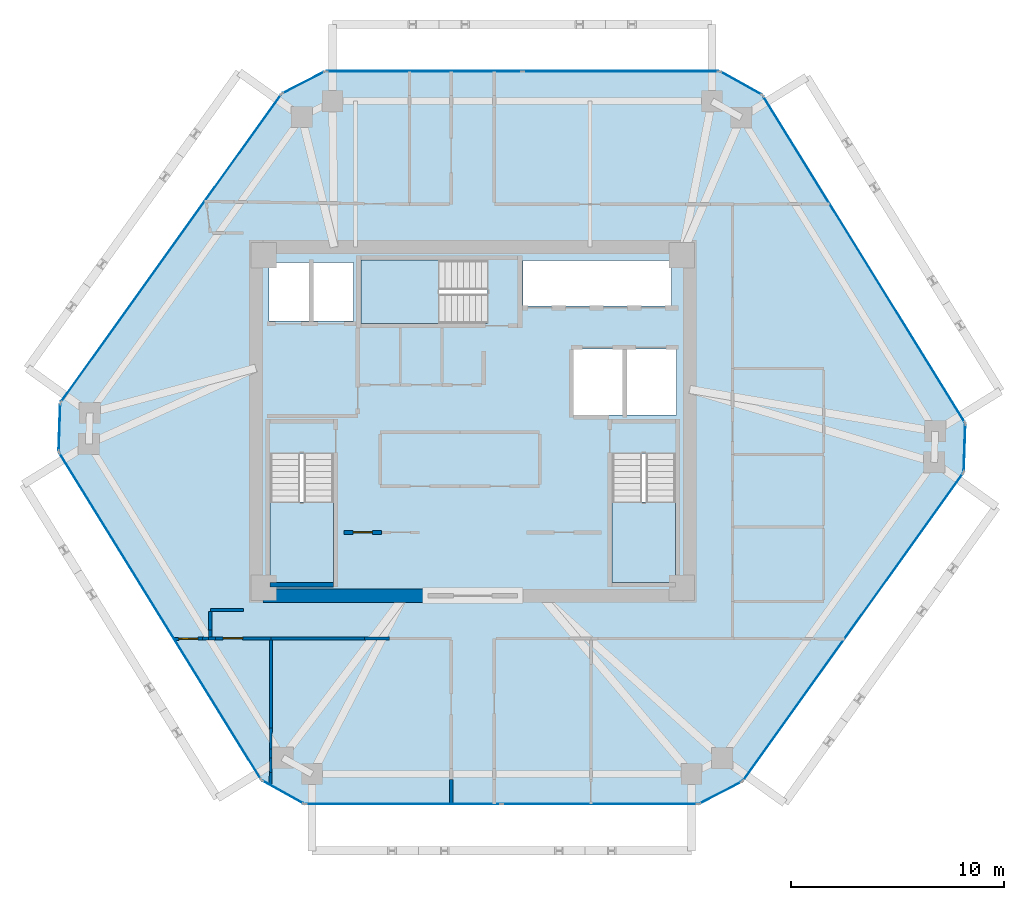
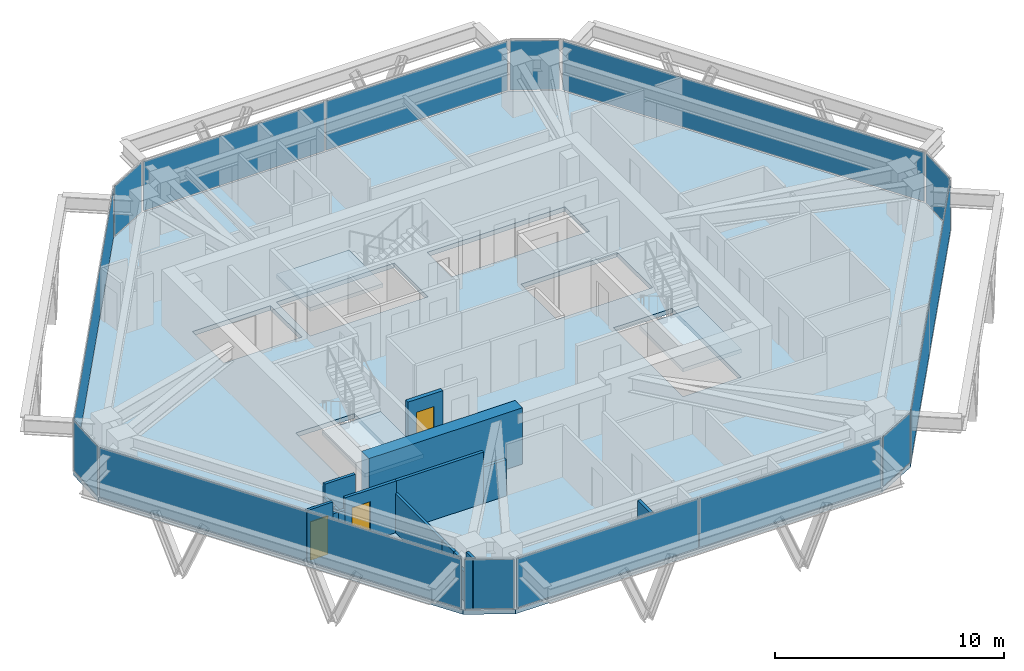
# One storey, part 7 of 12: 18 walls, 14 plates, 4 slabs, 3 doors, 3 openings, 15 elements without a shape of their own.
"""IFC4 building model written with IfcOpenShell, lengths in metres."""

from ifc_helpers import new_model, si_unit, direction, frame, frame_2d, origin, origin_2d, place, context, subcontext, project, spatial, polyline, rectangle, outline, extrude, source, transform, mapped, material, layer, layer_set, type_object, type_shapes, element, fill, aggregate, save


model = new_model("IFC4")

# Units and contexts
model_context = context("Model", 3, precision=1e-05, world=origin(), true_north=direction((0.0, 1.0)))
body_context = subcontext(model_context, "Body", "Model", "MODEL_VIEW")
ifc_project = project(units=[si_unit("LENGTHUNIT", "METRE"), si_unit("AREAUNIT", "SQUARE_METRE"), si_unit("VOLUMEUNIT", "CUBIC_METRE"), si_unit("PLANEANGLEUNIT", "RADIAN"), si_unit("MASSUNIT", "GRAM", prefix="KILO")], contexts=[model_context])

# Site, building, storey
site_placement = place(None, origin())
site = spatial("IfcSite", under=ifc_project, at=site_placement, CompositionType="ELEMENT")
building_placement = place(site_placement, origin())
building = spatial("IfcBuilding", under=site, at=building_placement, Name="Durnholm Broadcast Tower", CompositionType="ELEMENT")
storey_placement = place(building_placement, frame((0.0, 0.0, 203.199951171875)))
storey = spatial("IfcBuildingStorey", under=building, at=storey_placement, Name="L56", CompositionType="ELEMENT", Elevation=203.199951171875)

# Slab
ifc_material_1 = material(Name="Concrete C50/60", Category="concrete")
ifc_layer_1 = layer(ifc_material_1, 0.239990234375)
ifc_layer_set_1 = layer_set([ifc_layer_1], Name="Concrete C50/60")
slab_type_1 = type_object("IfcSlabType", Name="SLAB-FLR-240", PredefinedType="FLOOR", material=ifc_layer_set_1)
slab_1_placement = place(storey_placement, frame((0.0, 0.0, -0.239990234375)))
element("IfcSlab", 1, at=slab_1_placement, inside=storey, type_object=slab_type_1, Name="L56 structural floor slab", PredefinedType="FLOOR", context=body_context, shape_type="SweptSolid", body=[
    extrude(outline(polyline([(-9.912353515625, -16.822021484375), (-7.9033203125, -17.94189453125), (10.59521484375, -17.94189453125), (12.64111328125, -16.890625), (23.022705078125, -2.390380859375), (23.1005859375, -0.091552734375), (13.59033203125, 15.2978515625), (11.581298828125, 16.41796875), (-6.917236328125, 16.41796875), (-8.962890625, 15.36669921875), (-19.3447265625, 0.8662109375), (-19.422607421875, -1.432373046875), (-9.912353515625, -16.822021484375)]), holes=[polyline([(-6.5400390625, -1.5), (-9.5, -1.5), (-9.5, -7.550048828125), (-6.5400390625, -7.550048828125), (-6.5400390625, -1.5)]), polyline([(9.5, -7.550048828125), (9.5, -1.5), (6.5400390625, -1.5), (6.5400390625, -7.550048828125), (9.5, -7.550048828125)]), polyline([(9.550048828125, 3.39990234375), (4.699951171875, 3.39990234375), (4.699951171875, 0.300048828125), (9.550048828125, 0.300048828125), (9.550048828125, 3.39990234375)]), polyline([(-9.550048828125, 7.449951171875), (-9.550048828125, 4.699951171875), (-5.60009765625, 4.699951171875), (-5.60009765625, 7.449951171875), (-9.550048828125, 7.449951171875)]), polyline([(-5.25, 4.60009765625), (0.699951171875, 4.60009765625), (0.699951171875, 7.56005859375), (-5.25, 7.56005859375), (-5.25, 4.60009765625)]), polyline([(9.31005859375, 7.550048828125), (2.35009765625, 7.550048828125), (2.35009765625, 5.39990234375), (9.31005859375, 5.39990234375), (9.31005859375, 7.550048828125)])]), origin(), (0.0, 0.0, 1.0), 0.239990234375),
])

# Stair, slab
stair_type = type_object("IfcStairType", Name="STAIR-DL-18R1667", PredefinedType="HALF_TURN_STAIR", material=ifc_material_1)
stair_1_placement = place(storey_placement, origin())
stair_1 = element("IfcStair", 2, at=stair_1_placement, inside=storey, type_object=stair_type, Name="L56 ST-1", PredefinedType="HALF_TURN_STAIR")
ifc_layer_2 = layer(ifc_material_1, 0.199951171875)
ifc_layer_set_2 = layer_set([ifc_layer_2], Name="Concrete C50/60")
slab_type_2 = type_object("IfcSlabType", Name="SLAB-LND-200", PredefinedType="LANDING", material=ifc_layer_set_2)
slab_2_placement = place(storey_placement, frame((0.0, 0.0, 1.300048828125)))
slab_2 = element("IfcSlab", 3, at=slab_2_placement, type_object=slab_type_2, Name="ST-1 landing 1", PredefinedType="LANDING", context=body_context, shape_type="SweptSolid", body=[
    extrude(outline(polyline([(-9.5, -3.780029296875), (-9.5, -7.550048828125), (-6.5400390625, -7.550048828125), (-6.5400390625, -3.780029296875), (-9.5, -3.780029296875)])), origin(), (0.0, 0.0, 1.0), 0.199951171875),
])
aggregate(stair_1, [slab_2])

stair_2_placement = place(storey_placement, origin())
stair_2 = element("IfcStair", 4, at=stair_2_placement, inside=storey, type_object=stair_type, Name="L56 ST-2", PredefinedType="HALF_TURN_STAIR")
slab_3_placement = place(storey_placement, frame((0.0, 0.0, 1.300048828125)))
slab_3 = element("IfcSlab", 5, at=slab_3_placement, type_object=slab_type_2, Name="ST-2 landing 1", PredefinedType="LANDING", context=body_context, shape_type="SweptSolid", body=[
    extrude(outline(polyline([(6.5400390625, -3.780029296875), (6.5400390625, -7.550048828125), (9.5, -7.550048828125), (9.5, -3.780029296875), (6.5400390625, -3.780029296875)])), origin(), (0.0, 0.0, 1.0), 0.199951171875),
])
aggregate(stair_2, [slab_3])

stair_3_placement = place(storey_placement, origin())
stair_3 = element("IfcStair", 6, at=stair_3_placement, inside=storey, type_object=stair_type, Name="L56 ST-3", PredefinedType="HALF_TURN_STAIR")
slab_4_placement = place(storey_placement, frame((0.0, 0.0, 1.300048828125)))
slab_4 = element("IfcSlab", 7, at=slab_4_placement, type_object=slab_type_2, Name="ST-3 landing 1", PredefinedType="LANDING", context=body_context, shape_type="SweptSolid", body=[
    extrude(outline(polyline([(-1.580078125, 7.56005859375), (-5.25, 7.56005859375), (-5.25, 4.60009765625), (-1.580078125, 4.60009765625), (-1.580078125, 7.56005859375)])), origin(), (0.0, 0.0, 1.0), 0.199951171875),
])
aggregate(stair_3, [slab_4])

# Curtain wall, plate
ifc_material_2 = material(Name="Aluminium and Solar Control IGU", Category="aluminium")
ifc_layer_3 = layer(ifc_material_2, 0.1650390625)
ifc_layer_set_3 = layer_set([ifc_layer_3], Name="Aluminium and Solar Control IGU")
curtain_wall_type_1 = type_object("IfcCurtainWallType", Name="CW-SYS-5", PredefinedType="NOTDEFINED", material=ifc_layer_set_3)
curtain_wall_1_placement = place(storey_placement, origin())
curtain_wall_1 = element("IfcCurtainWall", 8, at=curtain_wall_1_placement, inside=storey, type_object=curtain_wall_type_1, Name="L56 curtain wall CW-CORNER CW-L56-CRN-01", PredefinedType="NOTDEFINED")
ifc_material_3 = material(Name="Low-E Laminated Insulating Glass", Category="glass")
ifc_layer_4 = layer(ifc_material_3, 0.030029296875)
ifc_layer_set_4 = layer_set([ifc_layer_4], Name="Low-E Laminated Insulating Glass")
plate_type_1 = type_object("IfcPlateType", Name="CW-SYS-5-PNL", PredefinedType="CURTAIN_PANEL", material=ifc_layer_set_4)
shared_shape_1 = source(origin(), body_context, "Body", "SweptSolid", [
    extrude(rectangle(XDim=2.169921875, YDim=0.030029296875, at=origin_2d()), origin(), (0.0, 0.0, 1.0), 2.6298828125),
])
plate_1_placement = place(storey_placement, frame((-19.3837890625, -0.282958984375, 0.065185546875), z_axis=(0.0, 0.0, 1.0), x_axis=(0.033912704699, 0.999424798802, 0.0)))
plate_1 = element("IfcPlate", 9, at=plate_1_placement, type_object=plate_type_1, Name="CW-CORNER panel 1.1", PredefinedType="CURTAIN_PANEL", context=body_context, shape_type="MappedRepresentation", body=[
    mapped(shared_shape_1, transform((0.0, 0.0, 0.0), x_axis=(1.0, 0.0, 0.0), y_axis=(0.0, 1.0, 0.0), z_axis=(0.0, 0.0, 1.0), scale=1.0)),
])
aggregate(curtain_wall_1, [plate_1])

curtain_wall_2_placement = place(storey_placement, origin())
curtain_wall_2 = element("IfcCurtainWall", 10, at=curtain_wall_2_placement, inside=storey, type_object=curtain_wall_type_1, Name="L56 curtain wall CW-CORNER CW-L56-CRN-03", PredefinedType="NOTDEFINED")
plate_2_placement = place(storey_placement, frame((-7.940185546875, 15.892333984375, 0.065185546875), z_axis=(0.0, 0.0, 1.0), x_axis=(0.889424679545, 0.457081764476, 0.0)))
plate_2 = element("IfcPlate", 11, at=plate_2_placement, type_object=plate_type_1, Name="CW-CORNER panel 1.1", PredefinedType="CURTAIN_PANEL", context=body_context, shape_type="MappedRepresentation", body=[
    mapped(shared_shape_1, transform((0.0, 0.0, 0.0), x_axis=(1.0, 0.0, 0.0), y_axis=(0.0, 1.0, 0.0), z_axis=(0.0, 0.0, 1.0), scale=1.0)),
])
aggregate(curtain_wall_2, [plate_2])

curtain_wall_3_placement = place(storey_placement, origin())
curtain_wall_3 = element("IfcCurtainWall", 12, at=curtain_wall_3_placement, inside=storey, type_object=curtain_wall_type_1, Name="L56 curtain wall CW-CORNER CW-L56-CRN-07", PredefinedType="NOTDEFINED")
plate_3_placement = place(storey_placement, frame((23.061767578125, -1.240966796875, 0.065185546875), z_axis=(0.0, 0.0, 1.0), x_axis=(-0.033912704699, -0.999424798802, 0.0)))
plate_3 = element("IfcPlate", 13, at=plate_3_placement, type_object=plate_type_1, Name="CW-CORNER panel 1.1", PredefinedType="CURTAIN_PANEL", context=body_context, shape_type="MappedRepresentation", body=[
    mapped(shared_shape_1, transform((0.0, 0.0, 0.0), x_axis=(1.0, 0.0, 0.0), y_axis=(0.0, 1.0, 0.0), z_axis=(0.0, 0.0, 1.0), scale=1.0)),
])
aggregate(curtain_wall_3, [plate_3])

curtain_wall_4_placement = place(storey_placement, origin())
curtain_wall_4 = element("IfcCurtainWall", 14, at=curtain_wall_4_placement, inside=storey, type_object=curtain_wall_type_1, Name="L56 curtain wall CW-CORNER CW-L56-CRN-09", PredefinedType="NOTDEFINED")
plate_4_placement = place(storey_placement, frame((11.6181640625, -17.416259765625, 0.065185546875), z_axis=(0.0, 0.0, 1.0), x_axis=(-0.889424679545, -0.457081764476, 0.0)))
plate_4 = element("IfcPlate", 15, at=plate_4_placement, type_object=plate_type_1, Name="CW-CORNER panel 1.1", PredefinedType="CURTAIN_PANEL", context=body_context, shape_type="MappedRepresentation", body=[
    mapped(shared_shape_1, transform((0.0, 0.0, 0.0), x_axis=(1.0, 0.0, 0.0), y_axis=(0.0, 1.0, 0.0), z_axis=(0.0, 0.0, 1.0), scale=1.0)),
])
aggregate(curtain_wall_4, [plate_4])

ifc_layer_5 = layer(ifc_material_2, 0.18994140625)
ifc_layer_set_5 = layer_set([ifc_layer_5], Name="Aluminium and Solar Control IGU")
curtain_wall_type_2 = type_object("IfcCurtainWallType", Name="CW-SYS-4", PredefinedType="NOTDEFINED", material=ifc_layer_set_5)
curtain_wall_5_placement = place(storey_placement, origin())
curtain_wall_5 = element("IfcCurtainWall", 16, at=curtain_wall_5_placement, inside=storey, type_object=curtain_wall_type_2, Name="L56 curtain wall CW-Z34-VIS CW-L56-F02", PredefinedType="NOTDEFINED")
ifc_layer_6 = layer(ifc_material_3, 0.033935546875)
ifc_layer_set_6 = layer_set([ifc_layer_6], Name="Low-E Laminated Insulating Glass")
plate_type_2 = type_object("IfcPlateType", Name="CW-SYS-4-PNL", PredefinedType="CURTAIN_PANEL", material=ifc_layer_set_6)
shared_shape_2 = source(origin(), body_context, "Body", "SweptSolid", [
    extrude(rectangle(XDim=17.693603515625, YDim=0.033935546875, at=origin_2d()), origin(), (0.0, 0.0, 1.0), 2.6201171875),
])
plate_5_placement = place(storey_placement, frame((-14.15380859375, 8.116455078125, 0.070068359375), z_axis=(0.0, 0.0, 1.0), x_axis=(0.582139030549, 0.813089262696, 0.0)))
plate_5 = element("IfcPlate", 17, at=plate_5_placement, type_object=plate_type_2, Name="CW-Z34-VIS panel 1.1", PredefinedType="CURTAIN_PANEL", context=body_context, shape_type="MappedRepresentation", body=[
    mapped(shared_shape_2, transform((0.0, 0.0, 0.0), x_axis=(1.0, 0.0, 0.0), y_axis=(0.0, 1.0, 0.0), z_axis=(0.0, 0.0, 1.0), scale=1.0)),
])
aggregate(curtain_wall_5, [plate_5])

curtain_wall_6_placement = place(storey_placement, origin())
curtain_wall_6 = element("IfcCurtainWall", 18, at=curtain_wall_6_placement, inside=storey, type_object=curtain_wall_type_2, Name="L56 curtain wall CW-Z34-VIS CW-L56-F08", PredefinedType="NOTDEFINED")
plate_6_placement = place(storey_placement, frame((17.831787109375, -9.640380859375, 0.070068359375), z_axis=(0.0, 0.0, 1.0), x_axis=(-0.582139030549, -0.813089262696, 0.0)))
plate_6 = element("IfcPlate", 19, at=plate_6_placement, type_object=plate_type_2, Name="CW-Z34-VIS panel 1.1", PredefinedType="CURTAIN_PANEL", context=body_context, shape_type="MappedRepresentation", body=[
    mapped(shared_shape_2, transform((0.0, 0.0, 0.0), x_axis=(1.0, 0.0, 0.0), y_axis=(0.0, 1.0, 0.0), z_axis=(0.0, 0.0, 1.0), scale=1.0)),
])
aggregate(curtain_wall_6, [plate_6])

# Curtain wall, plates
curtain_wall_7_placement = place(storey_placement, origin())
curtain_wall_7 = element("IfcCurtainWall", 20, at=curtain_wall_7_placement, inside=storey, type_object=curtain_wall_type_2, Name="L56 curtain wall CW-Z34-VIS CW-L56-F04", PredefinedType="NOTDEFINED")
shared_shape_3 = source(origin(), body_context, "Body", "SweptSolid", [
    extrude(rectangle(XDim=9.144287109375, YDim=0.033935546875, at=origin_2d()), origin(), (0.0, 0.0, 1.0), 2.6201171875),
])
plate_7_placement = place(storey_placement, frame((-2.275146484375, 16.41796875, 0.070068359375), z_axis=(0.0, 0.0, 1.0), x_axis=(1.0, 0.0, 0.0)))
plate_7 = element("IfcPlate", 21, at=plate_7_placement, type_object=plate_type_2, Name="CW-Z34-VIS panel 1.1", PredefinedType="CURTAIN_PANEL", context=body_context, shape_type="MappedRepresentation", body=[
    mapped(shared_shape_3, transform((0.0, 0.0, 0.0), x_axis=(1.0, 0.0, 0.0), y_axis=(0.0, 1.0, 0.0), z_axis=(0.0, 0.0, 1.0), scale=1.0)),
])
plate_8_placement = place(storey_placement, frame((6.939208984375, 16.41796875, 0.070068359375), z_axis=(0.0, 0.0, 1.0), x_axis=(1.0, 0.0, 0.0)))
plate_8 = element("IfcPlate", 22, at=plate_8_placement, type_object=plate_type_2, Name="CW-Z34-VIS panel 2.1", PredefinedType="CURTAIN_PANEL", context=body_context, shape_type="MappedRepresentation", body=[
    mapped(shared_shape_3, transform((0.0, 0.0, 0.0), x_axis=(1.0, 0.0, 0.0), y_axis=(0.0, 1.0, 0.0), z_axis=(0.0, 0.0, 1.0), scale=1.0)),
])
aggregate(curtain_wall_7, [plate_7, plate_8])

curtain_wall_8_placement = place(storey_placement, origin())
curtain_wall_8 = element("IfcCurtainWall", 23, at=curtain_wall_8_placement, inside=storey, type_object=curtain_wall_type_2, Name="L56 curtain wall CW-Z34-VIS CW-L56-F10", PredefinedType="NOTDEFINED")
plate_9_placement = place(storey_placement, frame((5.953125, -17.94189453125, 0.070068359375), z_axis=(0.0, 0.0, 1.0), x_axis=(-1.0, 0.0, 0.0)))
plate_9 = element("IfcPlate", 24, at=plate_9_placement, type_object=plate_type_2, Name="CW-Z34-VIS panel 1.1", PredefinedType="CURTAIN_PANEL", context=body_context, shape_type="MappedRepresentation", body=[
    mapped(shared_shape_3, transform((0.0, 0.0, 0.0), x_axis=(1.0, 0.0, 0.0), y_axis=(0.0, 1.0, 0.0), z_axis=(0.0, 0.0, 1.0), scale=1.0)),
])
plate_10_placement = place(storey_placement, frame((-3.26123046875, -17.94189453125, 0.070068359375), z_axis=(0.0, 0.0, 1.0), x_axis=(-1.0, 0.0, 0.0)))
plate_10 = element("IfcPlate", 25, at=plate_10_placement, type_object=plate_type_2, Name="CW-Z34-VIS panel 2.1", PredefinedType="CURTAIN_PANEL", context=body_context, shape_type="MappedRepresentation", body=[
    mapped(shared_shape_3, transform((0.0, 0.0, 0.0), x_axis=(1.0, 0.0, 0.0), y_axis=(0.0, 1.0, 0.0), z_axis=(0.0, 0.0, 1.0), scale=1.0)),
])
aggregate(curtain_wall_8, [plate_9, plate_10])

# Curtain wall, plate
curtain_wall_9_placement = place(storey_placement, origin())
curtain_wall_9 = element("IfcCurtainWall", 26, at=curtain_wall_9_placement, inside=storey, type_object=curtain_wall_type_1, Name="L56 curtain wall CW-CORNER CW-L56-CRN-05", PredefinedType="NOTDEFINED")
shared_shape_4 = source(origin(), body_context, "Body", "SweptSolid", [
    extrude(rectangle(XDim=2.170166015625, YDim=0.030029296875, at=origin_2d()), origin(), (0.0, 0.0, 1.0), 2.6298828125),
])
type_shapes(plate_type_1, [shared_shape_1, shared_shape_4])
plate_11_placement = place(storey_placement, frame((12.5859375, 15.85791015625, 0.065185546875), z_axis=(0.0, 0.0, 1.0), x_axis=(0.873409751271, -0.486986043316, 0.0)))
plate_11 = element("IfcPlate", 27, at=plate_11_placement, type_object=plate_type_1, Name="CW-CORNER panel 1.1", PredefinedType="CURTAIN_PANEL", context=body_context, shape_type="MappedRepresentation", body=[
    mapped(shared_shape_4, transform((0.0, 0.0, 0.0), x_axis=(1.0, 0.0, 0.0), y_axis=(0.0, 1.0, 0.0), z_axis=(0.0, 0.0, 1.0), scale=1.0)),
])
aggregate(curtain_wall_9, [plate_11])

curtain_wall_10_placement = place(storey_placement, origin())
curtain_wall_10 = element("IfcCurtainWall", 28, at=curtain_wall_10_placement, inside=storey, type_object=curtain_wall_type_1, Name="L56 curtain wall CW-CORNER CW-L56-CRN-11", PredefinedType="NOTDEFINED")
plate_12_placement = place(storey_placement, frame((-8.907958984375, -17.3818359375, 0.065185546875), z_axis=(0.0, 0.0, 1.0), x_axis=(-0.873409751271, 0.486986043316, 0.0)))
plate_12 = element("IfcPlate", 29, at=plate_12_placement, type_object=plate_type_1, Name="CW-CORNER panel 1.1", PredefinedType="CURTAIN_PANEL", context=body_context, shape_type="MappedRepresentation", body=[
    mapped(shared_shape_4, transform((0.0, 0.0, 0.0), x_axis=(1.0, 0.0, 0.0), y_axis=(0.0, 1.0, 0.0), z_axis=(0.0, 0.0, 1.0), scale=1.0)),
])
aggregate(curtain_wall_10, [plate_12])

curtain_wall_11_placement = place(storey_placement, origin())
curtain_wall_11 = element("IfcCurtainWall", 30, at=curtain_wall_11_placement, inside=storey, type_object=curtain_wall_type_2, Name="L56 curtain wall CW-Z34-VIS CW-L56-F06", PredefinedType="NOTDEFINED")
shared_shape_5 = source(origin(), body_context, "Body", "SweptSolid", [
    extrude(rectangle(XDim=17.950927734375, YDim=0.033935546875, at=origin_2d()), origin(), (0.0, 0.0, 1.0), 2.6201171875),
])
type_shapes(plate_type_2, [shared_shape_2, shared_shape_3, shared_shape_5])
plate_13_placement = place(storey_placement, frame((18.345458984375, 7.603271484375, 0.070068359375), z_axis=(0.0, 0.0, 1.0), x_axis=(0.525697750452, -0.850671426092, 0.0)))
plate_13 = element("IfcPlate", 31, at=plate_13_placement, type_object=plate_type_2, Name="CW-Z34-VIS panel 1.1", PredefinedType="CURTAIN_PANEL", context=body_context, shape_type="MappedRepresentation", body=[
    mapped(shared_shape_5, transform((0.0, 0.0, 0.0), x_axis=(1.0, 0.0, 0.0), y_axis=(0.0, 1.0, 0.0), z_axis=(0.0, 0.0, 1.0), scale=1.0)),
])
aggregate(curtain_wall_11, [plate_13])

curtain_wall_12_placement = place(storey_placement, origin())
curtain_wall_12 = element("IfcCurtainWall", 32, at=curtain_wall_12_placement, inside=storey, type_object=curtain_wall_type_2, Name="L56 curtain wall CW-Z34-VIS CW-L56-F12", PredefinedType="NOTDEFINED")
plate_14_placement = place(storey_placement, frame((-14.66748046875, -9.127197265625, 0.070068359375), z_axis=(0.0, 0.0, 1.0), x_axis=(-0.525697750452, 0.850671426092, 0.0)))
plate_14 = element("IfcPlate", 33, at=plate_14_placement, type_object=plate_type_2, Name="CW-Z34-VIS panel 1.1", PredefinedType="CURTAIN_PANEL", context=body_context, shape_type="MappedRepresentation", body=[
    mapped(shared_shape_5, transform((0.0, 0.0, 0.0), x_axis=(1.0, 0.0, 0.0), y_axis=(0.0, 1.0, 0.0), z_axis=(0.0, 0.0, 1.0), scale=1.0)),
])
aggregate(curtain_wall_12, [plate_14])

# Wall
ifc_material_4 = material(Name="Concrete C70/85", Category="concrete")
ifc_layer_7 = layer(ifc_material_4, 0.64990234375)
ifc_layer_set_7 = layer_set([ifc_layer_7], Name="Concrete C70/85")
wall_type_1 = type_object("IfcWallType", Name="WALL-CW-650", PredefinedType="SHEAR", material=ifc_layer_set_7)
wall_1_placement = place(storey_placement, frame((-9.85009765625, -8.175048828125, 0.0), z_axis=(0.0, 0.0, 1.0), x_axis=(1.0, 0.0, 0.0)))
element("IfcWall", 34, at=wall_1_placement, inside=storey, type_object=wall_type_1, Name="L56 central core shear wall CW-S1", PredefinedType="SHEAR", context=body_context, shape_type="SweptSolid", body=[
    extrude(rectangle(XDim=7.75, YDim=0.64990234375, at=frame_2d((3.875, 0.0))), origin(), (0.0, 0.0, 1.0), 3.0),
])

# Wall, opening, door
ifc_material_5 = material(Name="Fire-Rated Gypsum Shaftwall", Category="concrete")
ifc_layer_8 = layer(ifc_material_5, 0.199951171875)
ifc_layer_set_8 = layer_set([ifc_layer_8], Name="Fire-Rated Gypsum Shaftwall")
wall_type_2 = type_object("IfcWallType", Name="WALL-LOB-200", PredefinedType="SOLIDWALL", material=ifc_layer_set_8)
wall_2_placement = place(storey_placement, frame((-6.0400390625, -5.2099609375, 0.0), z_axis=(0.0, 0.0, 1.0), x_axis=(1.0, 0.0, 0.0)))
wall_2 = element("IfcWall", 35, at=wall_2_placement, inside=storey, type_object=wall_type_2, Name="L56 Media Fiber Patch Room corridor partition", PredefinedType="SOLIDWALL", context=body_context, shape_type="SweptSolid", body=[
    extrude(rectangle(XDim=1.760009765625, YDim=0.199951171875, at=frame_2d((0.8798828125, 0.0))), origin(), (0.0, 0.0, 1.0), 2.7451171875),
])
opening_1_placement = place(wall_2_placement, frame((0.429931640625, 0.0, 0.0)))
opening_1 = element("IfcOpeningElement", 36, at=opening_1_placement, cuts=wall_2, Name="Opening DC-60R", PredefinedType="OPENING", context=body_context, shape_type="SweptSolid", body=[
    extrude(rectangle(XDim=0.89990234375, YDim=2.050048828125, at=frame_2d((0.449951171875, 1.02490234375))), frame((0.0, 0.10986328125, 0.0), z_axis=(0.0, -1.0, 0.0), x_axis=(1.0, 0.0, 0.0)), (0.0, 0.0, 1.0), 0.219970703125),
])
ifc_material_6 = material(Name="Fire-Rated Core Service Door", Category="steel")
ifc_layer_9 = layer(ifc_material_6, 0.050048828125)
ifc_layer_set_9 = layer_set([ifc_layer_9], Name="Fire-Rated Core Service Door")
door_type_1 = type_object("IfcDoorType", Name="DOOR-CORE-FD60-R", OperationType="NOTDEFINED", PredefinedType="DOOR", material=ifc_layer_set_9)
shared_shape_6 = source(origin(), body_context, "Body", "SweptSolid", [
    extrude(rectangle(XDim=0.89990234375, YDim=2.050048828125, at=frame_2d((0.449951171875, 1.02490234375))), frame((0.0, 0.02490234375, 0.0), z_axis=(0.0, -1.0, 0.0), x_axis=(1.0, 0.0, 0.0)), (0.0, 0.0, 1.0), 0.050048828125),
])
type_shapes(door_type_1, [shared_shape_6])
door_1_placement = place(opening_1_placement, origin())
door_1 = element("IfcDoor", 37, at=door_1_placement, inside=storey, type_object=door_type_1, Name="L56 Media Fiber Patch Room entrance door", OperationType="SINGLE_SWING_RIGHT", OverallHeight=2.050048828125, OverallWidth=0.89990234375, PredefinedType="DOOR", context=body_context, shape_type="MappedRepresentation", body=[
    mapped(shared_shape_6, transform((0.0, 0.0, 0.0), x_axis=(1.0, 0.0, 0.0), y_axis=(0.0, 1.0, 0.0), z_axis=(0.0, 0.0, 1.0), scale=1.0)),
])
fill(opening_1, door_1)

# Walls
ifc_material_7 = material(Name="Gypsum Metal Stud Partition", Category="concrete")
ifc_layer_10 = layer(ifc_material_7, 0.135009765625)
ifc_layer_set_10 = layer_set([ifc_layer_10], Name="Gypsum Metal Stud Partition")
wall_type_3 = type_object("IfcWallType", Name="WALL-PART-135", PredefinedType="PARTITIONING", material=ifc_layer_set_10)
wall_3_placement = place(storey_placement, frame((-9.460205078125, -10.259033203125, 0.0), z_axis=(0.0, 0.0, 1.0), x_axis=(-0.002849160395, -0.999995941134, 0.0)))
element("IfcWall", 38, at=wall_3_placement, inside=storey, type_object=wall_type_3, Name="L56 room dividing partition 15.16", PredefinedType="PARTITIONING", context=body_context, shape_type="SweptSolid", body=[
    extrude(rectangle(XDim=4.113037109375, YDim=0.135009765625, at=frame_2d((2.056640625, 0.0))), origin(), (0.0, 0.0, 1.0), 2.098876953125),
])
wall_4_placement = place(storey_placement, frame((-9.474609375, -15.3662109375, 0.0), z_axis=(0.0, 0.0, 1.0), x_axis=(-0.002946363169, -0.999995659463, 0.0)))
element("IfcWall", 39, at=wall_4_placement, inside=storey, type_object=wall_type_3, Name="L56 room dividing partition 15.16", PredefinedType="PARTITIONING", context=body_context, shape_type="SweptSolid", body=[
    extrude(rectangle(XDim=0.414306640625, YDim=0.135009765625, at=frame_2d((0.20703125, 0.0))), origin(), (0.0, 0.0, 1.0), 2.098876953125),
])
wall_5_placement = place(storey_placement, frame((-9.477783203125, -16.46923828125, 0.0), z_axis=(0.0, 0.0, 1.0), x_axis=(-0.002877094545, -0.999995861155, 0.0)))
element("IfcWall", 40, at=wall_5_placement, inside=storey, type_object=wall_type_3, Name="L56 room dividing partition 15.16", PredefinedType="PARTITIONING", context=body_context, shape_type="SweptSolid", body=[
    extrude(rectangle(XDim=0.593994140625, YDim=0.135009765625, at=frame_2d((0.296875, 0.0))), origin(), (0.0, 0.0, 1.0), 2.7451171875),
])
wall_6_placement = place(storey_placement, frame((-9.471923828125, -14.3720703125, 0.0), z_axis=(0.0, 0.0, 1.0), x_axis=(-0.002701365389, -0.999996351306, 0.0)))
element("IfcWall", 41, at=wall_6_placement, inside=storey, type_object=wall_type_3, Name="L56 room dividing partition 15.16", PredefinedType="PARTITIONING", context=body_context, shape_type="SweptSolid", body=[
    extrude(rectangle(XDim=0.994140625, YDim=0.135009765625, at=frame_2d((0.4970703125, 0.0))), origin(), (0.0, 0.0, 1.0), 2.098876953125),
])
wall_7_placement = place(storey_placement, frame((-9.475830078125, -15.780517578125, 0.0), z_axis=(0.0, 0.0, 1.0), x_axis=(-0.0028358624, -0.999995978934, 0.0)))
element("IfcWall", 42, at=wall_7_placement, inside=storey, type_object=wall_type_3, Name="L56 room dividing partition 15.16", PredefinedType="PARTITIONING", context=body_context, shape_type="SweptSolid", body=[
    extrude(rectangle(XDim=0.688720703125, YDim=0.135009765625, at=frame_2d((0.34423828125, 0.0))), origin(), (0.0, 0.0, 1.0), 1.5771484375),
])

# Wall, opening, door
wall_8_placement = place(storey_placement, frame((-14.00390625, -10.200927734375, 0.0), z_axis=(0.0, 0.0, 1.0), x_axis=(0.999924024946, 0.012326570317, 0.0)))
wall_8 = element("IfcWall", 43, at=wall_8_placement, inside=storey, type_object=wall_type_3, Name="L56 room dividing partition 15.19", PredefinedType="PARTITIONING", context=body_context, shape_type="SweptSolid", body=[
    extrude(rectangle(XDim=1.326904296875, YDim=0.135009765625, at=frame_2d((0.66357421875, 0.0))), origin(), (0.0, 0.0, 1.0), 2.7451171875),
])
opening_2_placement = place(wall_8_placement, frame((0.213623046875, 0.0, 0.0)))
opening_2 = element("IfcOpeningElement", 44, at=opening_2_placement, cuts=wall_8, Name="Opening DW-90L", PredefinedType="OPENING", context=body_context, shape_type="SweptSolid", body=[
    extrude(rectangle(XDim=0.89990234375, YDim=2.050048828125, at=frame_2d((0.449951171875, 1.02490234375))), frame((0.0, 0.07763671875, 0.0), z_axis=(0.0, -1.0, 0.0), x_axis=(1.0, 0.0, 0.0)), (0.0, 0.0, 1.0), 0.155029296875),
])
ifc_material_8 = material(Name="Laminate Restroom Door", Category="steel")
ifc_layer_11 = layer(ifc_material_8, 0.050048828125)
ifc_layer_set_11 = layer_set([ifc_layer_11], Name="Laminate Restroom Door")
door_type_2 = type_object("IfcDoorType", Name="DOOR-WC-900L", OperationType="NOTDEFINED", PredefinedType="DOOR", material=ifc_layer_set_11)
shared_shape_7 = source(origin(), body_context, "Body", "SweptSolid", [
    extrude(rectangle(XDim=0.89990234375, YDim=2.050048828125, at=frame_2d((0.449951171875, 1.02490234375))), frame((0.0, 0.02490234375, 0.0), z_axis=(0.0, -1.0, 0.0), x_axis=(1.0, 0.0, 0.0)), (0.0, 0.0, 1.0), 0.050048828125),
])
type_shapes(door_type_2, [shared_shape_7])
door_2_placement = place(opening_2_placement, origin())
door_2 = element("IfcDoor", 45, at=door_2_placement, inside=storey, type_object=door_type_2, Name="L56 Investor Briefing Auditorium connecting door", OperationType="SINGLE_SWING_LEFT", OverallHeight=2.050048828125, OverallWidth=0.89990234375, PredefinedType="DOOR", context=body_context, shape_type="MappedRepresentation", body=[
    mapped(shared_shape_7, transform((0.0, 0.0, 0.0), x_axis=(1.0, 0.0, 0.0), y_axis=(0.0, 1.0, 0.0), z_axis=(0.0, 0.0, 1.0), scale=1.0)),
])
fill(opening_2, door_2)

# Wall
wall_9_placement = place(storey_placement, frame((-12.677001953125, -10.1845703125, 0.0), z_axis=(0.0, 0.0, 1.0), x_axis=(0.99991866361, 0.012754064587, 0.0)))
element("IfcWall", 46, at=wall_9_placement, inside=storey, type_object=wall_type_3, Name="L56 room dividing partition 15.19", PredefinedType="PARTITIONING", context=body_context, shape_type="SweptSolid", body=[
    extrude(rectangle(XDim=0.287109375, YDim=0.135009765625, at=frame_2d((0.1435546875, 0.0))), origin(), (0.0, 0.0, 1.0), 2.098876953125),
])

# Wall, opening, door
ifc_material_9 = material(Name="Acoustic Gypsum Stud Partition", Category="concrete")
ifc_layer_12 = layer(ifc_material_9, 0.14990234375)
ifc_layer_set_12 = layer_set([ifc_layer_12], Name="Acoustic Gypsum Stud Partition")
wall_type_4 = type_object("IfcWallType", Name="WALL-PART-150", PredefinedType="PARTITIONING", material=ifc_layer_set_12)
wall_10_placement = place(storey_placement, frame((-12.0625, -10.179931640625, 0.0), z_axis=(0.0, 0.0, 1.0), x_axis=(1.0, 0.0, 0.0)))
wall_10 = element("IfcWall", 47, at=wall_10_placement, inside=storey, type_object=wall_type_4, Name="L56 Catering Kitchen corridor partition", PredefinedType="PARTITIONING", context=body_context, shape_type="SweptSolid", body=[
    extrude(rectangle(XDim=2.6025390625, YDim=0.14990234375, at=frame_2d((1.30126953125, 0.0))), origin(), (0.0, 0.0, 1.0), 2.7451171875),
])
opening_3_placement = place(wall_10_placement, frame((0.35009765625, 0.0, 0.0)))
opening_3 = element("IfcOpeningElement", 48, at=opening_3_placement, cuts=wall_10, Name="Opening DR-92R", PredefinedType="OPENING", context=body_context, shape_type="SweptSolid", body=[
    extrude(rectangle(XDim=0.919921875, YDim=2.10009765625, at=frame_2d((0.4599609375, 1.050048828125))), frame((0.0, 0.0849609375, 0.0), z_axis=(0.0, -1.0, 0.0), x_axis=(1.0, 0.0, 0.0)), (0.0, 0.0, 1.0), 0.169921875),
])
ifc_material_10 = material(Name="Oak Veneer Office Door", Category="wood")
ifc_layer_13 = layer(ifc_material_10, 0.050048828125)
ifc_layer_set_13 = layer_set([ifc_layer_13], Name="Oak Veneer Office Door")
door_type_3 = type_object("IfcDoorType", Name="DOOR-RM-920R", OperationType="NOTDEFINED", PredefinedType="DOOR", material=ifc_layer_set_13)
shared_shape_8 = source(origin(), body_context, "Body", "SweptSolid", [
    extrude(rectangle(XDim=0.919921875, YDim=2.10009765625, at=frame_2d((0.4599609375, 1.050048828125))), frame((0.0, 0.02490234375, 0.0), z_axis=(0.0, -1.0, 0.0), x_axis=(1.0, 0.0, 0.0)), (0.0, 0.0, 1.0), 0.050048828125),
])
type_shapes(door_type_3, [shared_shape_8])
door_3_placement = place(opening_3_placement, origin())
door_3 = element("IfcDoor", 49, at=door_3_placement, inside=storey, type_object=door_type_3, Name="L56 Catering Kitchen entrance door", OperationType="SINGLE_SWING_RIGHT", OverallHeight=2.10009765625, OverallWidth=0.919921875, PredefinedType="DOOR", context=body_context, shape_type="MappedRepresentation", body=[
    mapped(shared_shape_8, transform((0.0, 0.0, 0.0), x_axis=(1.0, 0.0, 0.0), y_axis=(0.0, 1.0, 0.0), z_axis=(0.0, 0.0, 1.0), scale=1.0)),
])
fill(opening_3, door_3)

# Walls
wall_11_placement = place(storey_placement, frame((-12.389892578125, -10.179931640625, 0.0), z_axis=(0.0, 0.0, 1.0), x_axis=(1.0, 0.0, 0.0)))
element("IfcWall", 50, at=wall_11_placement, inside=storey, type_object=wall_type_4, Name="L56 Catering Kitchen corridor partition", PredefinedType="PARTITIONING", context=body_context, shape_type="SweptSolid", body=[
    extrude(rectangle(XDim=0.327392578125, YDim=0.14990234375, at=frame_2d((0.16357421875, 0.0))), origin(), (0.0, 0.0, 1.0), 2.098876953125),
])
wall_12_placement = place(storey_placement, frame((-9.4599609375, -10.179931640625, 0.0), z_axis=(0.0, 0.0, 1.0), x_axis=(1.0, 0.0, 0.0)))
element("IfcWall", 51, at=wall_12_placement, inside=storey, type_object=wall_type_4, Name="L56 Open Plan Broadcast Workspace 6 corridor partition", PredefinedType="PARTITIONING", context=body_context, shape_type="SweptSolid", body=[
    extrude(rectangle(XDim=4.389892578125, YDim=0.14990234375, at=frame_2d((2.19482421875, 0.0))), origin(), (0.0, 0.0, 1.0), 2.7451171875),
])
wall_13_placement = place(storey_placement, frame((-5.070068359375, -10.179931640625, 0.0), z_axis=(0.0, 0.0, 1.0), x_axis=(1.0, 0.0, 0.0)))
element("IfcWall", 52, at=wall_13_placement, inside=storey, type_object=wall_type_4, Name="L56 Open Plan Broadcast Workspace 6 corridor partition", PredefinedType="PARTITIONING", context=body_context, shape_type="SweptSolid", body=[
    extrude(rectangle(XDim=1.1572265625, YDim=0.14990234375, at=frame_2d((0.57861328125, 0.0))), origin(), (0.0, 0.0, 1.0), 1.94189453125),
])
wall_14_placement = place(storey_placement, frame((-1.010009765625, -16.804443359375, 0.0), z_axis=(0.0, 0.0, 1.0), x_axis=(0.0, -1.0, 0.0)))
element("IfcWall", 53, at=wall_14_placement, inside=storey, type_object=wall_type_4, Name="L56 Open Plan Broadcast Workspace 6 corridor partition", PredefinedType="PARTITIONING", context=body_context, shape_type="SweptSolid", body=[
    extrude(rectangle(XDim=1.137451171875, YDim=0.14990234375, at=frame_2d((0.56884765625, 0.0))), origin(), (0.0, 0.0, 1.0), 2.7451171875),
])
wall_15_placement = place(storey_placement, frame((-10.760009765625, -8.840087890625, 0.0), z_axis=(0.0, 0.0, 1.0), x_axis=(-1.0, 0.0, 0.0)))
element("IfcWall", 54, at=wall_15_placement, inside=storey, type_object=wall_type_4, Name="L56 Investor Briefing Auditorium corridor partition", PredefinedType="PARTITIONING", context=body_context, shape_type="SweptSolid", body=[
    extrude(rectangle(XDim=1.550048828125, YDim=0.14990234375, at=frame_2d((0.77490234375, 0.0))), origin(), (0.0, 0.0, 1.0), 2.7451171875),
])
wall_16_placement = place(storey_placement, frame((-12.31005859375, -8.9189453125, 0.0), z_axis=(0.0, 0.0, 1.0), x_axis=(0.0, -1.0, 0.0)))
element("IfcWall", 55, at=wall_16_placement, inside=storey, type_object=wall_type_4, Name="L56 Investor Briefing Auditorium corridor partition", PredefinedType="PARTITIONING", context=body_context, shape_type="SweptSolid", body=[
    extrude(rectangle(XDim=0.8603515625, YDim=0.14990234375, at=frame_2d((0.43017578125, 0.0))), origin(), (0.0, 0.0, 1.0), 2.098876953125),
])
wall_17_placement = place(storey_placement, frame((-12.31005859375, -9.779296875, 0.0), z_axis=(0.0, 0.0, 1.0), x_axis=(0.0, -1.0, 0.0)))
element("IfcWall", 56, at=wall_17_placement, inside=storey, type_object=wall_type_4, Name="L56 Investor Briefing Auditorium corridor partition", PredefinedType="PARTITIONING", context=body_context, shape_type="SweptSolid", body=[
    extrude(rectangle(XDim=0.32177734375, YDim=0.14990234375, at=frame_2d((0.160888671875, 0.0))), origin(), (0.0, 0.0, 1.0), 2.098876953125),
])
ifc_layer_14 = layer(ifc_material_1, 0.219970703125)
ifc_layer_set_14 = layer_set([ifc_layer_14], Name="Concrete C50/60")
wall_type_5 = type_object("IfcWallType", Name="WALL-SW-220", PredefinedType="SHEAR", material=ifc_layer_set_14)
wall_18_placement = place(storey_placement, frame((-9.5, -7.659912109375, -0.239990234375), z_axis=(0.0, 0.0, 1.0), x_axis=(1.0, 0.0, 0.0)))
element("IfcWall", 57, at=wall_18_placement, inside=storey, type_object=wall_type_5, Name="L56 stair ST-1 structural shaft wall S", PredefinedType="SHEAR", context=body_context, shape_type="SweptSolid", body=[
    extrude(rectangle(XDim=2.9599609375, YDim=0.219970703125, at=frame_2d((1.47998046875, 0.0))), origin(), (0.0, 0.0, 1.0), 3.0),
])

save(model, "model.ifc")
